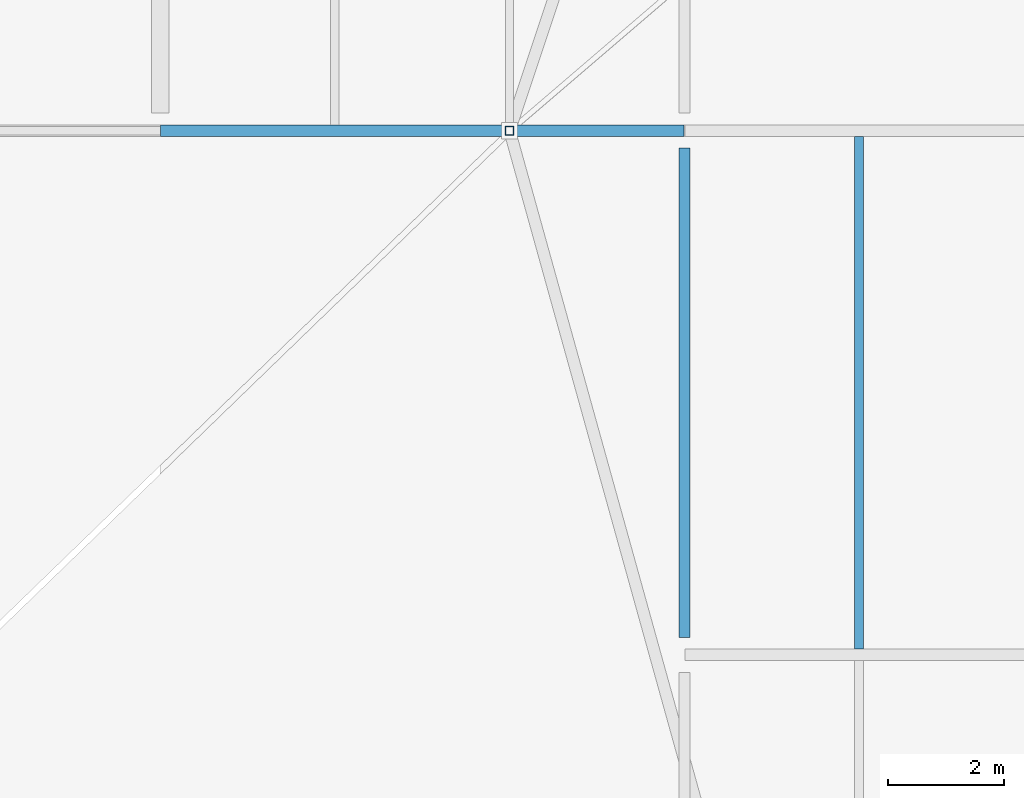
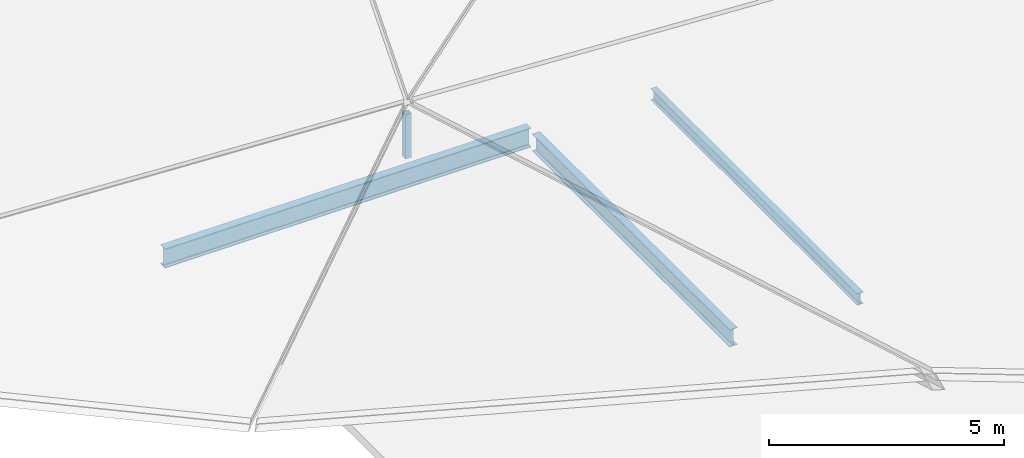
# One storey, part 8 of 18: 3 beams, 1 member.
"""IFC4 building model written with IfcOpenShell, lengths in metres."""

from ifc_helpers import new_model, si_unit, direction, frame, origin, origin_2d, place, context, subcontext, project, spatial, hollow_rectangle, i_section, extrude, material, material_profile, profile_set, type_object, element, save


model = new_model("IFC4")

# Units and contexts
model_context = context("Model", 3, precision=1e-05, world=origin(), true_north=direction((0.0, 1.0)))
body_context = subcontext(model_context, "Body", "Model", "MODEL_VIEW")
ifc_project = project(units=[si_unit("LENGTHUNIT", "METRE"), si_unit("AREAUNIT", "SQUARE_METRE"), si_unit("VOLUMEUNIT", "CUBIC_METRE"), si_unit("PLANEANGLEUNIT", "RADIAN"), si_unit("MASSUNIT", "GRAM", prefix="KILO")], contexts=[model_context])

# Site, building, storey
site_placement = place(None, origin())
site = spatial("IfcSite", under=ifc_project, at=site_placement, CompositionType="ELEMENT")
building_placement = place(site_placement, origin())
building = spatial("IfcBuilding", under=site, at=building_placement, Name="Deido Ridge Mobility Hub", CompositionType="ELEMENT")
storey_placement = place(building_placement, frame((0.0, 0.0, 29.39990234375)))
storey = spatial("IfcBuildingStorey", under=building, at=storey_placement, Name="RF", CompositionType="ELEMENT", Elevation=29.39990234375)

# Beams
ifc_material_1 = material(Name="Steel S355J2 EN 10025-2", Category="steel")
ifc_material_profile_1 = material_profile(ifc_material_1, i_section(OverallWidth=0.18994140625, OverallDepth=0.449951171875, WebThickness=0.009521484375, FlangeThickness=0.0146484375, FilletRadius=0.02099609375, at=origin_2d()), Name="IPE 450")
ifc_profile_set_1 = profile_set([ifc_material_profile_1], Name="Steel S355J2 EN 10025-2")
beam_type_1 = type_object("IfcBeamType", Name="BM-IPE450", PredefinedType="BEAM", material=ifc_profile_set_1)
beam_1_placement = place(storey_placement, frame((162.0, 27.300048828125, -0.46484375), z_axis=(0.0, 1.0, 0.0), x_axis=(-1.0, 0.0, 0.0)))
element("IfcBeam", 1, at=beam_1_placement, inside=storey, type_object=beam_type_1, Name="Floor beam B4", PredefinedType="BEAM", context=body_context, shape_type="SweptSolid", body=[
    extrude(i_section(OverallWidth=0.18994140625, OverallDepth=0.449951171875, WebThickness=0.009521484375, FlangeThickness=0.0146484375, FilletRadius=0.02099609375, at=origin_2d()), origin(), (0.0, 0.0, 1.0), 8.39990234375),
])
ifc_material_profile_2 = material_profile(ifc_material_1, i_section(OverallWidth=0.199951171875, OverallDepth=0.5, WebThickness=0.01025390625, FlangeThickness=0.01611328125, FilletRadius=0.02099609375, at=origin_2d()), Name="IPE 500")
ifc_profile_set_2 = profile_set([ifc_material_profile_2], Name="Steel S355J2 EN 10025-2")
beam_type_2 = type_object("IfcBeamType", Name="BM-IPE500", PredefinedType="BEAM", material=ifc_profile_set_2)
beam_2_placement = place(storey_placement, frame((153.0078125, 36.0, -0.489990234375), z_axis=(1.0, 0.0, 0.0), x_axis=(0.0, 1.0, 0.0)))
element("IfcBeam", 2, at=beam_2_placement, inside=storey, type_object=beam_type_2, Name="Floor beam B3", PredefinedType="BEAM", context=body_context, shape_type="SweptSolid", body=[
    extrude(i_section(OverallWidth=0.199951171875, OverallDepth=0.5, WebThickness=0.01025390625, FlangeThickness=0.01611328125, FilletRadius=0.02099609375, at=origin_2d()), origin(), (0.0, 0.0, 1.0), 8.984375),
])
ifc_material_profile_3 = material_profile(ifc_material_1, i_section(OverallWidth=0.14990234375, OverallDepth=0.300048828125, WebThickness=0.007080078125, FlangeThickness=0.0107421875, FilletRadius=0.014892578125, at=origin_2d()), Name="IPE 300")
ifc_profile_set_3 = profile_set([ifc_material_profile_3], Name="Steel S355J2 EN 10025-2")
beam_type_3 = type_object("IfcBeamType", Name="JST-IPE300", PredefinedType="JOIST", material=ifc_profile_set_3)
beam_3_placement = place(storey_placement, frame((165.0, 27.10009765625, -0.389892578125), z_axis=(0.0, 1.0, 0.0), x_axis=(-1.0, 0.0, 0.0)))
element("IfcBeam", 3, at=beam_3_placement, inside=storey, type_object=beam_type_3, Name="Composite joist J3", PredefinedType="JOIST", context=body_context, shape_type="SweptSolid", body=[
    extrude(i_section(OverallWidth=0.14990234375, OverallDepth=0.300048828125, WebThickness=0.007080078125, FlangeThickness=0.0107421875, FilletRadius=0.014892578125, at=origin_2d()), origin(), (0.0, 0.0, 1.0), 8.7998046875),
])

# Member
ifc_material_2 = material(Name="Steel S355J2H EN 10210-1", Category="steel")
ifc_material_profile_4 = material_profile(ifc_material_2, hollow_rectangle(XDim=0.14990234375, YDim=0.14990234375, WallThickness=0.008056640625, at=origin_2d()), Name="SHS 150x150x8")
ifc_profile_set_4 = profile_set([ifc_material_profile_4], Name="Steel S355J2H EN 10210-1")
member_type = type_object("IfcMemberType", Name="MEM-PST-SHS150", PredefinedType="POST", material=ifc_profile_set_4)
member_placement = place(storey_placement, frame((159.0, 36.0, 0.0), z_axis=(0.0, 0.0, 1.0), x_axis=(1.0, 0.0, 0.0)))
element("IfcMember", 4, at=member_placement, inside=storey, type_object=member_type, Name="Crystal roof ridge post PS1", PredefinedType="POST", context=body_context, shape_type="SweptSolid", body=[
    extrude(hollow_rectangle(XDim=0.14990234375, YDim=0.14990234375, WallThickness=0.008056640625, at=origin_2d()), origin(), (0.0, 0.0, 1.0), 1.150146484375),
])

save(model, "model.ifc")
